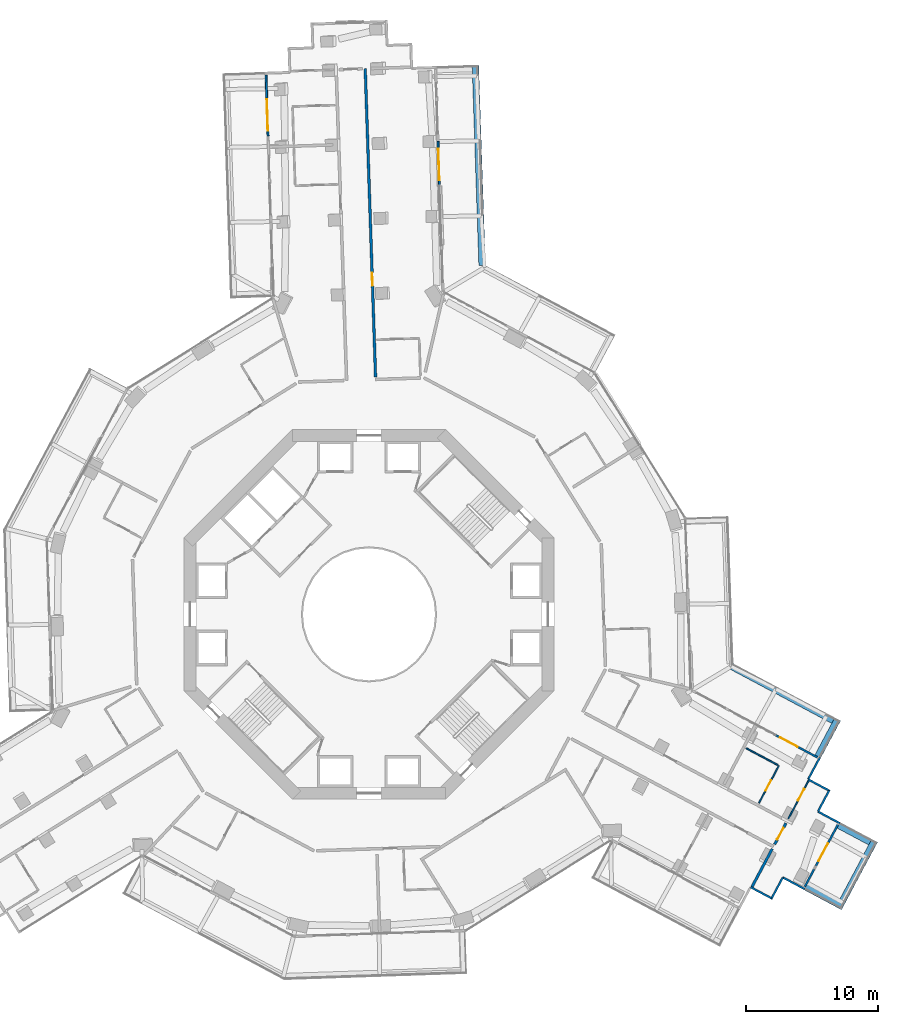
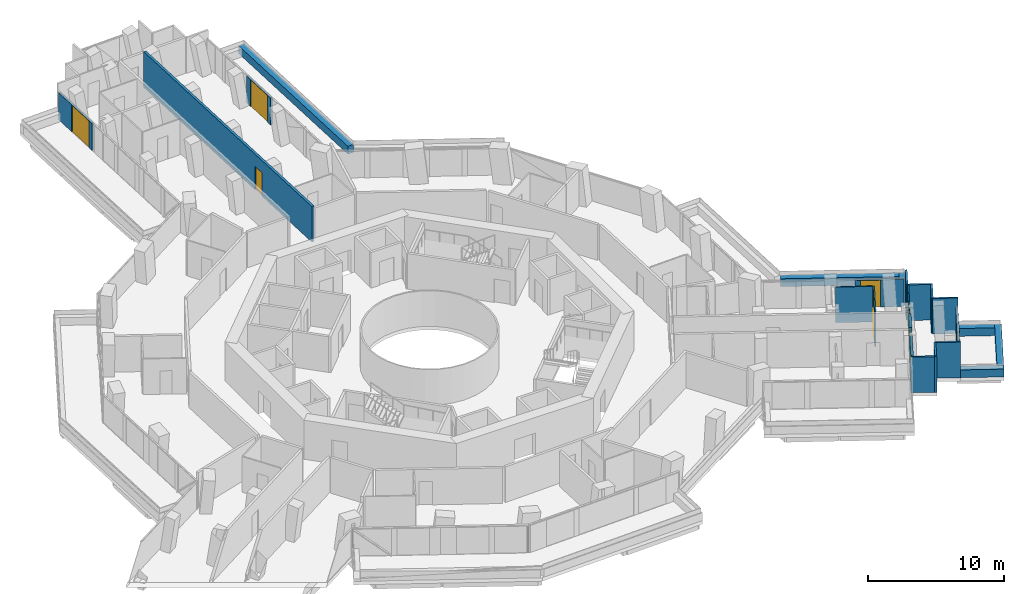
# One storey, part 23 of 27: 24 walls, 8 doors, 8 openings.
"""IFC4 building model written with IfcOpenShell, lengths in metres."""

import ifcopenshell
import ifcopenshell.guid

model = None  # the IFC model being written
_history = None  # IfcOwnerHistory: only IFC2X3 demands one
_inside = {}  # id of a spatial element -> (the spatial element, [elements in it])
_under = {}  # id of a project, library or spatial element -> (it, [spatial elements below it])
_declared = {}  # id of a project -> (the project, [libraries it declares])
_typed = {}  # id of a type object -> (the type object, [elements of that type])
_made_of = {}  # id of a material, layer set ... -> (it, [elements and type objects made of it])


def new_model(schema):
    """Start an empty IFC model of exactly this schema.

    Asked for "IFC4X3", IfcOpenShell would pick the latest addendum, in which some entities
    have other attributes; the version numbers below select the first issue.
    IFC2X3 requires an IfcOwnerHistory on every rooted entity: one is made here for all.
    """
    global model, _history
    if schema == "IFC4X3":
        model = ifcopenshell.file(schema_version=(4, 3, 0, 0))
    else:
        model = ifcopenshell.file(schema=schema)
    _inside.clear()
    _under.clear()
    _declared.clear()
    _typed.clear()
    _made_of.clear()
    _history = None
    if model.schema == "IFC2X3":
        org = make("IfcOrganization", Name="unknown")
        user = make(
            "IfcPersonAndOrganization",
            ThePerson=make("IfcPerson", FamilyName="unknown"),
            TheOrganization=org,
        )
        app = make(
            "IfcApplication",
            ApplicationDeveloper=org,
            Version="unknown",
            ApplicationFullName="unknown",
            ApplicationIdentifier="unknown",
        )
        _history = make(
            "IfcOwnerHistory",
            OwningUser=user,
            OwningApplication=app,
            ChangeAction="ADDED",
            CreationDate=0,
        )
    return model


def make(cls, **values):
    """One entity of the class cls with the attributes given. An attribute that is None is left unset."""
    return model.create_entity(
        cls, **{name: value for name, value in values.items() if value is not None}
    )


def rooted(cls, **values):
    """An entity with a GlobalId (a new one), such as an element, a storey or a relation."""
    return make(cls, GlobalId=ifcopenshell.guid.new(), OwnerHistory=_history, **values)


def si_unit(unit_type, name, prefix=None):
    """IfcSIUnit, for example si_unit("LENGTHUNIT", "METRE", prefix="MILLI")."""
    return make("IfcSIUnit", UnitType=unit_type, Prefix=prefix, Name=name)


def assignment(units):
    """IfcUnitAssignment: the units of a project."""
    return None if units is None else make("IfcUnitAssignment", Units=units)


def point(xyz):
    """IfcCartesianPoint."""
    return None if xyz is None else make("IfcCartesianPoint", Coordinates=xyz)


def direction(xyz):
    """IfcDirection."""
    return None if xyz is None else make("IfcDirection", DirectionRatios=xyz)


def frame(location, z_axis=None, x_axis=None):
    """IfcAxis2Placement3D, a coordinate frame: its origin and axes. An axis left out is left unset."""
    return make(
        "IfcAxis2Placement3D",
        Location=point(location),
        Axis=direction(z_axis),
        RefDirection=direction(x_axis),
    )


def frame_2d(location, x_axis=None):
    """IfcAxis2Placement2D, a coordinate frame in the plane: its origin and x axis."""
    return make(
        "IfcAxis2Placement2D", Location=point(location), RefDirection=direction(x_axis)
    )


def origin():
    """The frame at (0, 0, 0) with its axes left unset."""
    return frame((0.0, 0.0, 0.0))


def place(relative_to, where):
    """IfcLocalPlacement: puts the frame where relative to a parent placement (None: the world)."""
    return make(
        "IfcLocalPlacement", PlacementRelTo=relative_to, RelativePlacement=where
    )


def context(
    kind, dimensions, precision=None, world=None, true_north=None, identifier=None
):
    """IfcGeometricRepresentationContext, for example the 3D "Model" context."""
    return make(
        "IfcGeometricRepresentationContext",
        ContextIdentifier=identifier,
        ContextType=kind,
        CoordinateSpaceDimension=dimensions,
        Precision=precision,
        WorldCoordinateSystem=world,
        TrueNorth=true_north,
    )


def subcontext(parent, identifier, kind, view, scale=None):
    """IfcGeometricRepresentationSubContext, for example "Body" below "Model"."""
    return make(
        "IfcGeometricRepresentationSubContext",
        ContextIdentifier=identifier,
        ContextType=kind,
        ParentContext=parent,
        TargetScale=scale,
        TargetView=view,
    )


def project(units=None, contexts=None):
    """IfcProject with its units and contexts."""
    return rooted(
        "IfcProject",
        Name="project",
        RepresentationContexts=contexts,
        UnitsInContext=assignment(units),
    )


def spatial(cls, under=None, at=None, **own):
    """A site, building, storey or space (cls), placed at a placement, below another one or the project."""
    s = rooted(cls, ObjectPlacement=at, **own)
    if under is not None:
        _under.setdefault(under.id(), (under, []))[1].append(s)
    return s


def profile(cls, at=None, kind="AREA", **sizes):
    """A parametric profile (cls). Its sizes go by their IFC names, for example OverallWidth=200.0."""
    return make(cls, ProfileType=kind, Position=at, **sizes)


def rectangle(**sizes):
    """IfcRectangleProfileDef."""
    return profile("IfcRectangleProfileDef", **sizes)


def extrude(swept, where, along, depth):
    """IfcExtrudedAreaSolid: the profile swept, set in the frame where, extruded along a direction by depth."""
    return make(
        "IfcExtrudedAreaSolid",
        SweptArea=swept,
        Position=where,
        ExtrudedDirection=direction(along),
        Depth=depth,
    )


def shape(context_of_items, identifier, shape_type, items):
    """IfcShapeRepresentation: the items that make up one representation, for example the "Body"."""
    return make(
        "IfcShapeRepresentation",
        ContextOfItems=context_of_items,
        RepresentationIdentifier=identifier,
        RepresentationType=shape_type,
        Items=items,
    )


def material(Name=None, Category=None):
    """IfcMaterial."""
    return make("IfcMaterial", Name=Name, Category=Category)


def layer(
    of_material, thickness, ventilated=None, Name=None, Category=None, Priority=None
):
    """IfcMaterialLayer: one layer of a wall or slab, of a material (None: an air gap)."""
    return make(
        "IfcMaterialLayer",
        Material=of_material,
        LayerThickness=thickness,
        IsVentilated=ventilated,
        Name=Name,
        Category=Category,
        Priority=Priority,
    )


def layer_set(layers, Name=None):
    """IfcMaterialLayerSet."""
    return make("IfcMaterialLayerSet", MaterialLayers=layers, LayerSetName=Name)


def made_of(thing, what):
    """Note that an element or type object is made of a material, layer set ...; save() writes the relation."""
    if what is not None:
        _made_of.setdefault(what.id(), (what, []))[1].append(thing)
    return thing


def type_object(cls, material=None, **own):
    """A type object (cls), such as IfcWallType, which elements share."""
    return made_of(rooted(cls, **own), material)


def element(
    cls,
    number,
    at=None,
    inside=None,
    cuts=None,
    type_object=None,
    material=None,
    context=None,
    identifier="Body",
    shape_type=None,
    held_by="IfcProductDefinitionShape",
    body=None,
    shapes=None,
    **own,
):
    """One element of the class cls, such as IfcWall. Its Tag is "e" and its number.

    at: its placement. inside: the storey or other place that contains it. cuts: it is an
    opening in that element (IfcRelVoidsElement). A single representation is given by context,
    identifier, shape_type and body (its items); several are given by shapes. held_by: the class
    of the entity that holds the representations. save() writes the other relations.
    """
    e = rooted(cls, Tag="e%d" % number, ObjectPlacement=at, **own)
    if body is not None:
        shapes = [shape(context, identifier, shape_type, body)]
    if shapes is not None:
        e.Representation = make(held_by, Representations=shapes)
    if inside is not None:
        _inside.setdefault(inside.id(), (inside, []))[1].append(e)
    if cuts is not None:
        rooted(
            "IfcRelVoidsElement", RelatingBuildingElement=cuts, RelatedOpeningElement=e
        )
    if type_object is not None:
        _typed.setdefault(type_object.id(), (type_object, []))[1].append(e)
    return made_of(e, material)


def fill(opening, filler):
    """IfcRelFillsElement: the door or window that sits in an opening."""
    return rooted(
        "IfcRelFillsElement",
        RelatingOpeningElement=opening,
        RelatedBuildingElement=filler,
    )


def aggregate(whole, parts):
    """IfcRelAggregates: a whole, such as a stair, and the parts it consists of."""
    return rooted("IfcRelAggregates", RelatingObject=whole, RelatedObjects=parts)


def save(model, path):
    """Write the relations noted so far, then the file.

    IfcRelAggregates (storeys below a building ...), IfcRelContainedInSpatialStructure (elements
    in a storey), IfcRelDefinesByType, IfcRelAssociatesMaterial and IfcRelDeclares: one each for
    every whole, place, type object, material and project.
    """
    for whole, parts in _under.values():
        aggregate(whole, parts)
    for where, things in _inside.values():
        rooted(
            "IfcRelContainedInSpatialStructure",
            RelatedElements=things,
            RelatingStructure=where,
        )
    for kind, things in _typed.values():
        rooted("IfcRelDefinesByType", RelatedObjects=things, RelatingType=kind)
    for what, things in _made_of.values():
        rooted("IfcRelAssociatesMaterial", RelatedObjects=things, RelatingMaterial=what)
    for by, libraries in _declared.values():
        rooted("IfcRelDeclares", RelatingContext=by, RelatedDefinitions=libraries)
    model.write(path)


model = new_model("IFC4")

# Units and contexts
model_context = context("Model", 3, precision=1e-05, world=origin(), true_north=direction((0.0, 1.0)))
body_context = subcontext(model_context, "Body", "Model", "MODEL_VIEW")
ifc_project = project(units=[si_unit("LENGTHUNIT", "METRE"), si_unit("AREAUNIT", "SQUARE_METRE"), si_unit("VOLUMEUNIT", "CUBIC_METRE"), si_unit("PLANEANGLEUNIT", "RADIAN"), si_unit("MASSUNIT", "GRAM", prefix="KILO")], contexts=[model_context])

# Site, building, storey
site_placement = place(None, origin())
site = spatial("IfcSite", under=ifc_project, at=site_placement, CompositionType="ELEMENT")
building_placement = place(site_placement, origin())
building = spatial("IfcBuilding", under=site, at=building_placement, Name="Verdalira Terraces Hotel", CompositionType="ELEMENT")
storey_placement = place(building_placement, frame((0.0, 0.0, 42.5)))
storey = spatial("IfcBuildingStorey", under=building, at=storey_placement, Name="L08", CompositionType="ELEMENT", Elevation=42.5)

# Walls
ifc_material_1 = material(Name="Concrete C40", Category="concrete")
ifc_layer_1 = layer(ifc_material_1, 0.5)
ifc_layer_set_1 = layer_set([ifc_layer_1], Name="Balcony planter trough with tree")
wall_type_1 = type_object("IfcWallType", Name="Balcony planter trough with tree", PredefinedType="SOLIDWALL", material=ifc_layer_set_1)
wall_1_placement = place(storey_placement, frame((33.075684, -20.649414, 0.0), z_axis=(0.0, 0.0, 1.0), x_axis=(0.882285331, -0.470714983, 0.0)))
element("IfcWall", 1, at=wall_1_placement, inside=storey, type_object=wall_type_1, Name="Balcony planter", PredefinedType="SOLIDWALL", context=body_context, shape_type="SweptSolid", body=[
    extrude(rectangle(XDim=3.198975, YDim=0.5, at=frame_2d((1.599609, 0.0))), origin(), (0.0, 0.0, 1.0), 0.699951),
])
wall_2_placement = place(storey_placement, frame((35.79541, -21.817139, 0.0), z_axis=(0.0, 0.0, 1.0), x_axis=(0.470679085, 0.882304482, 0.0)))
element("IfcWall", 2, at=wall_2_placement, inside=storey, type_object=wall_type_1, Name="Balcony planter", PredefinedType="SOLIDWALL", context=body_context, shape_type="SweptSolid", body=[
    extrude(rectangle(XDim=5.300049, YDim=0.5, at=frame_2d((2.649902, 0.0))), origin(), (0.0, 0.0, 1.0), 0.699951),
])
wall_3_placement = place(storey_placement, frame((37.951904, -17.243896, 0.0), z_axis=(0.0, 0.0, 1.0), x_axis=(-0.882282822, 0.470719685, 0.0)))
element("IfcWall", 3, at=wall_3_placement, inside=storey, type_object=wall_type_1, Name="Balcony planter", PredefinedType="SOLIDWALL", context=body_context, shape_type="SweptSolid", body=[
    extrude(rectangle(XDim=2.698975, YDim=0.5, at=frame_2d((1.349609, 0.0))), origin(), (0.0, 0.0, 1.0), 0.699951),
])
wall_4_placement = place(storey_placement, frame((33.985352, -10.762939, 0.0), z_axis=(0.0, 0.0, 1.0), x_axis=(0.470714983, 0.882285331, 0.0)))
element("IfcWall", 4, at=wall_4_placement, inside=storey, type_object=wall_type_1, Name="Balcony planter", PredefinedType="SOLIDWALL", context=body_context, shape_type="SweptSolid", body=[
    extrude(rectangle(XDim=3.198975, YDim=0.5, at=frame_2d((1.599609, 0.0))), origin(), (0.0, 0.0, 1.0), 0.699951),
])
wall_5_placement = place(storey_placement, frame((35.153076, -8.043457, 0.0), z_axis=(0.0, 0.0, 1.0), x_axis=(-0.882288424, 0.470709185, 0.0)))
element("IfcWall", 5, at=wall_5_placement, inside=storey, type_object=wall_type_1, Name="Balcony planter", PredefinedType="SOLIDWALL", context=body_context, shape_type="SweptSolid", body=[
    extrude(rectangle(XDim=8.695312, YDim=0.5, at=frame_2d((4.347656, 0.0))), origin(), (0.0, 0.0, 1.0), 0.699951),
])
wall_6_placement = place(storey_placement, frame((8.570068, 26.407715, 0.0), z_axis=(0.0, 0.0, 1.0), x_axis=(-0.033498856, 0.999438756, 0.0)))
element("IfcWall", 6, at=wall_6_placement, inside=storey, type_object=wall_type_1, Name="Balcony planter", PredefinedType="SOLIDWALL", context=body_context, shape_type="SweptSolid", body=[
    extrude(rectangle(XDim=15.195557, YDim=0.5, at=frame_2d((7.597656, 0.0))), origin(), (0.0, 0.0, 1.0), 0.699951),
])
ifc_material_2 = material(Name="Moisture-resistant gypsum board partition")
ifc_layer_2 = layer(ifc_material_2, 0.10009765625)
ifc_layer_set_2 = layer_set([ifc_layer_2], Name="Bathroom partition 100 mm")
wall_type_2 = type_object("IfcWallType", Name="Bathroom partition 100 mm", PredefinedType="PARTITIONING", material=ifc_layer_set_2)
wall_7_placement = place(storey_placement, frame((30.951416, -11.412109, 0.0), z_axis=(0.0, 0.0, 1.0), x_axis=(-0.882325407, 0.470639859, 0.0)))
element("IfcWall", 7, at=wall_7_placement, inside=storey, type_object=wall_type_2, Name="Bathroom partition", PredefinedType="PARTITIONING", context=body_context, shape_type="SweptSolid", body=[
    extrude(rectangle(XDim=2.699951, YDim=0.100098, at=frame_2d((1.350098, 0.0))), origin(), (0.0, 0.0, 1.0), 3.189941),
])

# Wall, opening, door
wall_8_placement = place(storey_placement, frame((29.533203, -14.282715, 0.0), z_axis=(0.0, 0.0, 1.0), x_axis=(0.470707021, 0.882289578, 0.0)))
wall_8 = element("IfcWall", 8, at=wall_8_placement, inside=storey, type_object=wall_type_2, Name="Bathroom partition", PredefinedType="PARTITIONING", context=body_context, shape_type="SweptSolid", body=[
    extrude(rectangle(XDim=3.200195, YDim=0.100098, at=frame_2d((1.600098, 0.0))), origin(), (0.0, 0.0, 1.0), 3.189941),
])
opening_1_placement = place(wall_8_placement, frame((1.050049, 0.0, 0.0)))
opening_1 = element("IfcOpeningElement", 9, at=opening_1_placement, cuts=wall_8, Name="Opening L08-126", PredefinedType="OPENING", context=body_context, shape_type="SweptSolid", body=[
    extrude(rectangle(XDim=0.899902, YDim=2.100098, at=frame_2d((0.449951, 1.050049))), frame((0.0, 0.060059, 0.0), z_axis=(0.0, -1.0, 0.0), x_axis=(1.0, 0.0, 0.0)), (0.0, 0.0, 1.0), 0.120117),
])
ifc_material_3 = material(Name="Timber door", Category="wood")
door_type_1 = type_object("IfcDoorType", Name="Bathroom door 900 x 2100", OperationType="NOTDEFINED", PredefinedType="DOOR", material=ifc_material_3)
door_1_placement = place(opening_1_placement, origin())
door_1 = element("IfcDoor", 10, at=door_1_placement, inside=storey, type_object=door_type_1, Name="Bathroom door 0812", OperationType="SINGLE_SWING_RIGHT", OverallHeight=2.10009765625, OverallWidth=0.89990234375, PredefinedType="DOOR", context=body_context, shape_type="SweptSolid", body=[
    extrude(rectangle(XDim=0.899902, YDim=2.100098, at=frame_2d((0.449951, 1.050049))), frame((0.0, 0.024902, 0.0), z_axis=(0.0, -1.0, 0.0), x_axis=(1.0, 0.0, 0.0)), (0.0, 0.0, 1.0), 0.050049),
])
fill(opening_1, door_1)

wall_9_placement = place(storey_placement, frame((31.757812, -15.469482, 0.0), z_axis=(0.0, 0.0, 1.0), x_axis=(0.470689538, 0.882298906, 0.0)))
wall_9 = element("IfcWall", 11, at=wall_9_placement, inside=storey, type_object=wall_type_2, Name="Bathroom partition", PredefinedType="PARTITIONING", context=body_context, shape_type="SweptSolid", body=[
    extrude(rectangle(XDim=3.252197, YDim=0.100098, at=frame_2d((1.625977, 0.0))), origin(), (0.0, 0.0, 1.0), 3.189941),
])
opening_2_placement = place(wall_9_placement, frame((1.550049, 0.0, 0.0)))
opening_2 = element("IfcOpeningElement", 12, at=opening_2_placement, cuts=wall_9, Name="Opening L08-125", PredefinedType="OPENING", context=body_context, shape_type="SweptSolid", body=[
    extrude(rectangle(XDim=1.0, YDim=2.100098, at=frame_2d((0.5, 1.050049))), frame((0.0, 0.060059, 0.0), z_axis=(0.0, -1.0, 0.0), x_axis=(1.0, 0.0, 0.0)), (0.0, 0.0, 1.0), 0.120117),
])
ifc_material_4 = material(Name="Timber door", Category="wood")
door_type_2 = type_object("IfcDoorType", Name="Suite internal door 1000 x 2100", OperationType="NOTDEFINED", PredefinedType="DOOR", material=ifc_material_4)
door_2_placement = place(opening_2_placement, origin())
door_2 = element("IfcDoor", 13, at=door_2_placement, inside=storey, type_object=door_type_2, Name="Suite internal door 0812", OperationType="SINGLE_SWING_LEFT", OverallHeight=2.10009765625, OverallWidth=1.0, PredefinedType="DOOR", context=body_context, shape_type="SweptSolid", body=[
    extrude(rectangle(XDim=1.0, YDim=2.100098, at=frame_2d((0.5, 1.050049))), frame((0.0, 0.024902, 0.0), z_axis=(0.0, -1.0, 0.0), x_axis=(1.0, 0.0, 0.0)), (0.0, 0.0, 1.0), 0.050049),
])
fill(opening_2, door_2)

# Wall
ifc_material_5 = material(Name="Fire-rated gypsum board wall")
ifc_layer_3 = layer(ifc_material_5, 0.199951171875)
ifc_layer_set_3 = layer_set([ifc_layer_3], Name="Demising wall 200 mm")
wall_type_3 = type_object("IfcWallType", Name="Demising wall 200 mm", PredefinedType="SOLIDWALL", material=ifc_layer_set_3)
wall_10_placement = place(storey_placement, frame((30.53418, -17.763428, 0.0), z_axis=(0.0, 0.0, 1.0), x_axis=(-0.470705201, -0.88229055, 0.0)))
element("IfcWall", 14, at=wall_10_placement, inside=storey, type_object=wall_type_3, Name="Demising wall", PredefinedType="SOLIDWALL", context=body_context, shape_type="SweptSolid", body=[
    extrude(rectangle(XDim=3.25, YDim=0.199951, at=frame_2d((1.625, 0.0))), origin(), (0.0, 0.0, 1.0), 3.189941),
])

# Wall, opening, door
ifc_material_6 = material(Name="Fire-rated gypsum board wall")
ifc_layer_4 = layer(ifc_material_6, 0.199951171875)
ifc_layer_set_4 = layer_set([ifc_layer_4], Name="Guest corridor wall 200 mm")
wall_type_4 = type_object("IfcWallType", Name="Guest corridor wall 200 mm", PredefinedType="SOLIDWALL", material=ifc_layer_set_4)
wall_11_placement = place(storey_placement, frame((-0.284424, 41.314941, 0.0), z_axis=(0.0, 0.0, 1.0), x_axis=(0.033510193, -0.999438376, 0.0)))
wall_11 = element("IfcWall", 15, at=wall_11_placement, inside=storey, type_object=wall_type_4, Name="Guest corridor wall", PredefinedType="SOLIDWALL", context=body_context, shape_type="SweptSolid", body=[
    extrude(rectangle(XDim=23.343018, YDim=0.199951, at=frame_2d((11.671387, 0.0))), origin(), (0.0, 0.0, 1.0), 3.189941),
])
opening_3_placement = place(wall_11_placement, frame((15.449951, 0.0, 0.0)))
opening_3 = element("IfcOpeningElement", 16, at=opening_3_placement, cuts=wall_11, Name="Opening L08-101", PredefinedType="OPENING", context=body_context, shape_type="SweptSolid", body=[
    extrude(rectangle(XDim=1.0, YDim=2.100098, at=frame_2d((0.5, 1.050049))), frame((0.0, 0.109863, 0.0), z_axis=(0.0, -1.0, 0.0), x_axis=(1.0, 0.0, 0.0)), (0.0, 0.0, 1.0), 0.219971),
])
ifc_material_7 = material(Name="Timber fire door", Category="wood")
door_type_3 = type_object("IfcDoorType", Name="Guest entry door 1000 x 2100", OperationType="NOTDEFINED", PredefinedType="DOOR", material=ifc_material_7)
door_3_placement = place(opening_3_placement, origin())
door_3 = element("IfcDoor", 17, at=door_3_placement, inside=storey, type_object=door_type_3, Name="Guest entry door 0801", OperationType="SINGLE_SWING_LEFT", OverallHeight=2.10009765625, OverallWidth=1.0, PredefinedType="DOOR", context=body_context, shape_type="SweptSolid", body=[
    extrude(rectangle(XDim=1.0, YDim=2.100098, at=frame_2d((0.5, 1.050049))), frame((0.0, 0.024902, 0.0), z_axis=(0.0, -1.0, 0.0), x_axis=(1.0, 0.0, 0.0)), (0.0, 0.0, 1.0), 0.050049),
])
fill(opening_3, door_3)

wall_12_placement = place(storey_placement, frame((31.570557, -15.820557, 0.0), z_axis=(0.0, 0.0, 1.0), x_axis=(-0.470658471, -0.882315478, 0.0)))
wall_12 = element("IfcWall", 18, at=wall_12_placement, inside=storey, type_object=wall_type_4, Name="Guest corridor wall", PredefinedType="SOLIDWALL", context=body_context, shape_type="SweptSolid", body=[
    extrude(rectangle(XDim=1.804199, YDim=0.199951, at=frame_2d((0.9021, 0.0))), origin(), (0.0, 0.0, 1.0), 3.189941),
])
opening_4_placement = place(wall_12_placement, frame((0.399902, 0.0, 0.0)))
opening_4 = element("IfcOpeningElement", 19, at=opening_4_placement, cuts=wall_12, Name="Opening L08-124", PredefinedType="OPENING", context=body_context, shape_type="SweptSolid", body=[
    extrude(rectangle(XDim=1.0, YDim=2.100098, at=frame_2d((0.5, 1.050049))), frame((0.0, 0.109863, 0.0), z_axis=(0.0, -1.0, 0.0), x_axis=(1.0, 0.0, 0.0)), (0.0, 0.0, 1.0), 0.219971),
])
door_4_placement = place(opening_4_placement, origin())
door_4 = element("IfcDoor", 20, at=door_4_placement, inside=storey, type_object=door_type_3, Name="Guest entry door 0812", OperationType="SINGLE_SWING_LEFT", OverallHeight=2.10009765625, OverallWidth=1.0, PredefinedType="DOOR", context=body_context, shape_type="SweptSolid", body=[
    extrude(rectangle(XDim=1.0, YDim=2.100098, at=frame_2d((0.5, 1.050049))), frame((0.0, 0.024902, 0.0), z_axis=(0.0, -1.0, 0.0), x_axis=(1.0, 0.0, 0.0)), (0.0, 0.0, 1.0), 0.050049),
])
fill(opening_4, door_4)

# Walls
ifc_material_8 = material(Name="Terracotta cladding", Category="masonry")
ifc_layer_5 = layer(ifc_material_8, 0.14990234375)
ifc_layer_set_5 = layer_set([ifc_layer_5], Name="Terracotta clad wall 150")
wall_type_5 = type_object("IfcWallType", Name="Terracotta clad wall 150", PredefinedType="SOLIDWALL", material=ifc_layer_set_5)
wall_13_placement = place(storey_placement, frame((28.902832, -20.661621, 0.0), z_axis=(0.0, 0.0, 1.0), x_axis=(0.882259064, -0.470764214, 0.0)))
element("IfcWall", 21, at=wall_13_placement, inside=storey, type_object=wall_type_5, Name="Terracotta cladding wall", PredefinedType="SOLIDWALL", context=body_context, shape_type="SweptSolid", body=[
    extrude(rectangle(XDim=1.800049, YDim=0.149902, at=frame_2d((0.899902, 0.0))), origin(), (0.0, 0.0, 1.0), 3.189941),
])
for number, where, z_axis, x_axis, name in (
    (22, (30.455566, -21.575195, 0.0), (0.0, 0.0, 1.0), (0.470703121, 0.882291659, 0.0), "Terracotta cladding wall"),
    (23, (31.338135, -19.920898, 0.0), (0.0, 0.0, 1.0), (0.882291659, -0.470703121, 0.0), "Terracotta cladding wall"),
    (24, (35.651855, -15.818604, 0.0), (0.0, 0.0, 1.0), (-0.882291659, 0.470703121, 0.0), "Terracotta cladding wall"),
):
    element("IfcWall", number, at=place(storey_placement, frame(where, z_axis=z_axis, x_axis=x_axis)), inside=storey, type_object=wall_type_5, Name=name, PredefinedType="SOLIDWALL", context=body_context, shape_type="SweptSolid", body=[
        extrude(rectangle(XDim=1.875, YDim=0.149902, at=frame_2d((0.9375, 0.0))), origin(), (0.0, 0.0, 1.0), 3.189941),
    ])
wall_14_placement = place(storey_placement, frame((33.997559, -14.936035, 0.0), z_axis=(0.0, 0.0, 1.0), x_axis=(0.470764214, 0.882259064, 0.0)))
element("IfcWall", 25, at=wall_14_placement, inside=storey, type_object=wall_type_5, Name="Terracotta cladding wall", PredefinedType="SOLIDWALL", context=body_context, shape_type="SweptSolid", body=[
    extrude(rectangle(XDim=1.800049, YDim=0.149902, at=frame_2d((0.899902, 0.0))), origin(), (0.0, 0.0, 1.0), 3.189941),
])
for number, where, z_axis, x_axis, name in (
    (26, (34.911133, -13.383057, 0.0), (0.0, 0.0, 1.0), (-0.882291659, 0.470703121, 0.0), "Terracotta cladding wall"),
    (27, (33.256836, -12.500488, 0.0), (0.0, 0.0, 1.0), (0.470703121, 0.882291659, 0.0), "Terracotta cladding wall"),
):
    element("IfcWall", number, at=place(storey_placement, frame(where, z_axis=z_axis, x_axis=x_axis)), inside=storey, type_object=wall_type_5, Name=name, PredefinedType="SOLIDWALL", context=body_context, shape_type="SweptSolid", body=[
        extrude(rectangle(XDim=1.875, YDim=0.149902, at=frame_2d((0.9375, 0.0))), origin(), (0.0, 0.0, 1.0), 3.189941),
    ])
ifc_material_9 = material(Name="Terracotta cladding", Category="masonry")
ifc_layer_6 = layer(ifc_material_9, 0.14990234375)
ifc_layer_set_6 = layer_set([ifc_layer_6], Name="Terracotta column pier 150")
wall_type_6 = type_object("IfcWallType", Name="Terracotta column pier 150", PredefinedType="SOLIDWALL", material=ifc_layer_set_6)
wall_15_placement = place(storey_placement, frame((32.999268, -20.631348, 0.0), z_axis=(0.0, 0.0, 1.0), x_axis=(0.470714731, 0.882285465, 0.0)))
element("IfcWall", 28, at=wall_15_placement, inside=storey, type_object=wall_type_6, Name="Terracotta column pier", PredefinedType="SOLIDWALL", context=body_context, shape_type="SweptSolid", body=[
    extrude(rectangle(XDim=1.502441, YDim=0.149902, at=frame_2d((0.751221, 0.0))), origin(), (0.0, 0.0, 1.0), 2.425049),
])

# Wall, opening, door
ifc_material_10 = material(Name="Terracotta cladding", Category="masonry")
ifc_layer_7 = layer(ifc_material_10, 0.14990234375)
ifc_layer_set_7 = layer_set([ifc_layer_7], Name="Terracotta door pier 150")
wall_type_7 = type_object("IfcWallType", Name="Terracotta door pier 150", PredefinedType="SOLIDWALL", material=ifc_layer_set_7)
wall_16_placement = place(storey_placement, frame((5.340088, 32.467529, 0.0), z_axis=(0.0, 0.0, 1.0), x_axis=(-0.033453153, 0.999440287, 0.0)))
wall_16 = element("IfcWall", 29, at=wall_16_placement, inside=storey, type_object=wall_type_7, Name="Terracotta door pier", PredefinedType="SOLIDWALL", context=body_context, shape_type="SweptSolid", body=[
    extrude(rectangle(XDim=3.349854, YDim=0.149902, at=frame_2d((1.674805, 0.0))), origin(), (0.0, 0.0, 1.0), 2.425049),
])
opening_5_placement = place(wall_16_placement, frame((0.399902, 0.0, 0.0)))
opening_5 = element("IfcOpeningElement", 30, at=opening_5_placement, cuts=wall_16, Name="Opening L08-B02", PredefinedType="OPENING", context=body_context, shape_type="SweptSolid", body=[
    extrude(rectangle(XDim=2.399902, YDim=2.399902, at=frame_2d((1.199951, 1.199951))), frame((0.0, 0.084961, 0.0), z_axis=(0.0, -1.0, 0.0), x_axis=(1.0, 0.0, 0.0)), (0.0, 0.0, 1.0), 0.169922),
])
ifc_material_11 = material(Name="Clear glass", Category="glass")
door_type_4 = type_object("IfcDoorType", Name="Balcony sliding door 2400x2400", OperationType="NOTDEFINED", PredefinedType="DOOR", material=ifc_material_11)
door_5_placement = place(opening_5_placement, origin())
door_5 = element("IfcDoor", 31, at=door_5_placement, inside=storey, type_object=door_type_4, Name="Balcony sliding door", OperationType="SLIDING_TO_RIGHT", OverallHeight=2.39990234375, OverallWidth=2.39990234375, PredefinedType="DOOR", context=body_context, shape_type="SweptSolid", body=[
    extrude(rectangle(XDim=2.399902, YDim=2.399902, at=frame_2d((1.199951, 1.199951))), frame((0.0, 0.024902, 0.0), z_axis=(0.0, -1.0, 0.0), x_axis=(1.0, 0.0, 0.0)), (0.0, 0.0, 1.0), 0.050049),
])
fill(opening_5, door_5)

wall_17_placement = place(storey_placement, frame((-7.797852, 40.843018, 0.0), z_axis=(0.0, 0.0, 1.0), x_axis=(0.033509867, -0.999438387, 0.0)))
wall_17 = element("IfcWall", 32, at=wall_17_placement, inside=storey, type_object=wall_type_7, Name="Terracotta door pier", PredefinedType="SOLIDWALL", context=body_context, shape_type="SweptSolid", body=[
    extrude(rectangle(XDim=4.626465, YDim=0.149902, at=frame_2d((2.313232, 0.0))), origin(), (0.0, 0.0, 1.0), 2.425049),
])
opening_6_placement = place(wall_17_placement, frame((1.826416, 0.0, 0.0)))
opening_6 = element("IfcOpeningElement", 33, at=opening_6_placement, cuts=wall_17, Name="Opening L08-B04", PredefinedType="OPENING", context=body_context, shape_type="SweptSolid", body=[
    extrude(rectangle(XDim=2.399902, YDim=2.399902, at=frame_2d((1.199951, 1.199951))), frame((0.0, 0.084961, 0.0), z_axis=(0.0, -1.0, 0.0), x_axis=(1.0, 0.0, 0.0)), (0.0, 0.0, 1.0), 0.169922),
])
door_6_placement = place(opening_6_placement, origin())
door_6 = element("IfcDoor", 34, at=door_6_placement, inside=storey, type_object=door_type_4, Name="Balcony sliding door", OperationType="SLIDING_TO_LEFT", OverallHeight=2.39990234375, OverallWidth=2.39990234375, PredefinedType="DOOR", context=body_context, shape_type="SweptSolid", body=[
    extrude(rectangle(XDim=2.399902, YDim=2.399902, at=frame_2d((1.199951, 1.199951))), frame((0.0, 0.024902, 0.0), z_axis=(0.0, -1.0, 0.0), x_axis=(1.0, 0.0, 0.0)), (0.0, 0.0, 1.0), 0.050049),
])
fill(opening_6, door_6)

wall_18_placement = place(storey_placement, frame((33.851318, -19.034424, 0.0), z_axis=(0.0, 0.0, 1.0), x_axis=(0.47071028, 0.88228784, 0.0)))
wall_18 = element("IfcWall", 35, at=wall_18_placement, inside=storey, type_object=wall_type_7, Name="Terracotta door pier", PredefinedType="SOLIDWALL", context=body_context, shape_type="SweptSolid", body=[
    extrude(rectangle(XDim=3.530029, YDim=0.149902, at=frame_2d((1.765137, 0.0))), origin(), (0.0, 0.0, 1.0), 2.425049),
])
opening_7_placement = place(wall_18_placement, frame((0.399902, 0.0, 0.0)))
opening_7 = element("IfcOpeningElement", 36, at=opening_7_placement, cuts=wall_18, Name="Opening L08-B17", PredefinedType="OPENING", context=body_context, shape_type="SweptSolid", body=[
    extrude(rectangle(XDim=1.5, YDim=2.399902, at=frame_2d((0.75, 1.199951))), frame((0.0, 0.084961, 0.0), z_axis=(0.0, -1.0, 0.0), x_axis=(1.0, 0.0, 0.0)), (0.0, 0.0, 1.0), 0.169922),
])
ifc_material_12 = material(Name="Clear glass", Category="glass")
door_type_5 = type_object("IfcDoorType", Name="Balcony sliding door 1500x2400", OperationType="NOTDEFINED", PredefinedType="DOOR", material=ifc_material_12)
door_7_placement = place(opening_7_placement, origin())
door_7 = element("IfcDoor", 37, at=door_7_placement, inside=storey, type_object=door_type_5, Name="Balcony sliding door", OperationType="SLIDING_TO_RIGHT", OverallHeight=2.39990234375, OverallWidth=1.5, PredefinedType="DOOR", context=body_context, shape_type="SweptSolid", body=[
    extrude(rectangle(XDim=1.5, YDim=2.399902, at=frame_2d((0.75, 1.199951))), frame((0.0, 0.024902, 0.0), z_axis=(0.0, -1.0, 0.0), x_axis=(1.0, 0.0, 0.0)), (0.0, 0.0, 1.0), 0.050049),
])
fill(opening_7, door_7)

wall_19_placement = place(storey_placement, frame((33.976074, -10.844238, 0.0), z_axis=(0.0, 0.0, 1.0), x_axis=(-0.882295174, 0.470696533, 0.0)))
wall_19 = element("IfcWall", 38, at=wall_19_placement, inside=storey, type_object=wall_type_7, Name="Terracotta door pier", PredefinedType="SOLIDWALL", context=body_context, shape_type="SweptSolid", body=[
    extrude(rectangle(XDim=3.627197, YDim=0.149902, at=frame_2d((1.813477, 0.0))), origin(), (0.0, 0.0, 1.0), 2.425049),
])
opening_8_placement = place(wall_19_placement, frame((1.727051, 0.0, 0.0)))
opening_8 = element("IfcOpeningElement", 39, at=opening_8_placement, cuts=wall_19, Name="Opening L08-B18", PredefinedType="OPENING", context=body_context, shape_type="SweptSolid", body=[
    extrude(rectangle(XDim=1.5, YDim=2.399902, at=frame_2d((0.75, 1.199951))), frame((0.0, 0.084961, 0.0), z_axis=(0.0, -1.0, 0.0), x_axis=(1.0, 0.0, 0.0)), (0.0, 0.0, 1.0), 0.169922),
])
door_8_placement = place(opening_8_placement, origin())
door_8 = element("IfcDoor", 40, at=door_8_placement, inside=storey, type_object=door_type_5, Name="Balcony sliding door", OperationType="SLIDING_TO_LEFT", OverallHeight=2.39990234375, OverallWidth=1.5, PredefinedType="DOOR", context=body_context, shape_type="SweptSolid", body=[
    extrude(rectangle(XDim=1.5, YDim=2.399902, at=frame_2d((0.75, 1.199951))), frame((0.0, 0.024902, 0.0), z_axis=(0.0, -1.0, 0.0), x_axis=(1.0, 0.0, 0.0)), (0.0, 0.0, 1.0), 0.050049),
])
fill(opening_8, door_8)

save(model, "model.ifc")
